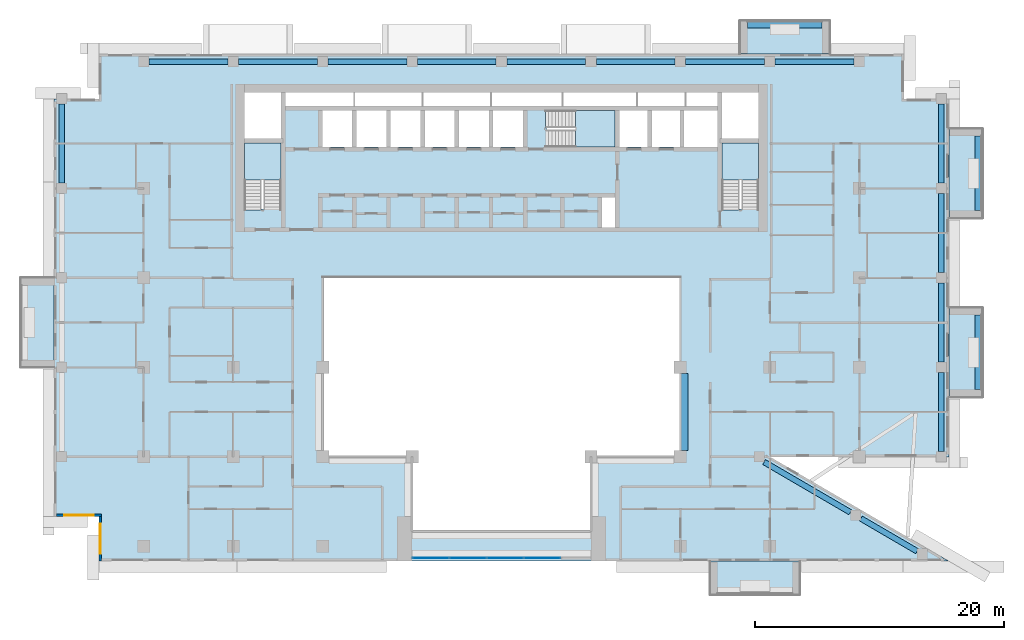
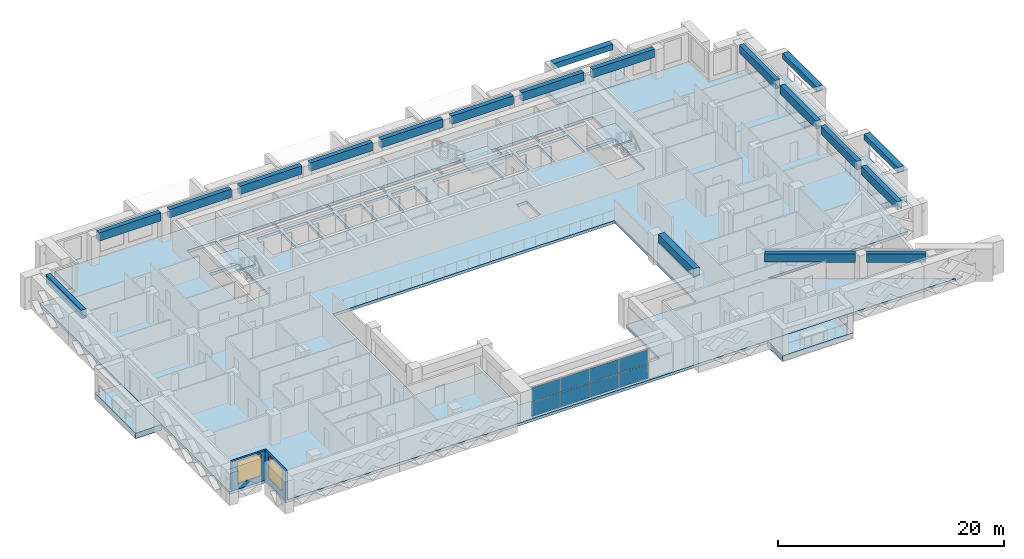
# One storey, part 5 of 20: 19 beams, 9 slabs, 8 plates, 2 walls, 2 windows, 2 openings, 4 elements without a shape of their own.
"""IFC4 building model written with IfcOpenShell, lengths in metres."""

from ifc_helpers import new_model, si_unit, direction, frame, frame_2d, origin, origin_2d, place, context, subcontext, project, spatial, polyline, rectangle, outline, extrude, source, transform, mapped, material, layer, layer_set, material_profile, profile_set, type_object, element, fill, aggregate, save


model = new_model("IFC4")

# Units and contexts
model_context = context("Model", 3, precision=1e-05, world=origin(), true_north=direction((0.0, 1.0)))
body_context = subcontext(model_context, "Body", "Model", "MODEL_VIEW")
ifc_project = project(units=[si_unit("LENGTHUNIT", "METRE"), si_unit("AREAUNIT", "SQUARE_METRE"), si_unit("VOLUMEUNIT", "CUBIC_METRE"), si_unit("PLANEANGLEUNIT", "RADIAN"), si_unit("MASSUNIT", "GRAM", prefix="KILO")], contexts=[model_context])

# Site, building, storey
site_placement = place(None, origin())
site = spatial("IfcSite", under=ifc_project, at=site_placement, CompositionType="ELEMENT")
building_placement = place(site_placement, origin())
building = spatial("IfcBuilding", under=site, at=building_placement, Name="Saffron Iwan Residences", CompositionType="ELEMENT")
storey_placement = place(building_placement, frame((0.0, 0.0, 143.0)))
storey = spatial("IfcBuildingStorey", under=building, at=storey_placement, Name="L37", CompositionType="ELEMENT", Elevation=143.0)

# Beams
ifc_material_1 = material(Name="Concrete C50/60", Category="concrete")
ifc_material_profile_1 = material_profile(ifc_material_1, rectangle(XDim=0.449951171875, YDim=0.89990234375, at=origin_2d()), Name="RC 450x900")
ifc_profile_set_1 = profile_set([ifc_material_profile_1], Name="Concrete C50/60")
beam_type_1 = type_object("IfcBeamType", Name="SPANDREL BEAM RC 450x900 C50/60 TOP 3200", PredefinedType="SPANDREL", material=ifc_profile_set_1)
shared_shape_1 = source(origin(), body_context, "Body", "SweptSolid", [
    extrude(rectangle(XDim=0.449951171875, YDim=0.89990234375, at=origin_2d()), origin(), (0.0, 0.0, 1.0), 5.24267578125),
])
beam_1_placement = place(storey_placement, frame((79.32275390625, 43.03369140625, 2.75), z_axis=(0.863783967805, -0.503862339299, 0.0), x_axis=(0.503862339299, 0.863783967805, 0.0)))
element("IfcBeam", 1, at=beam_1_placement, inside=storey, type_object=beam_type_1, Name="Spandrel beam", PredefinedType="SPANDREL", context=body_context, shape_type="MappedRepresentation", body=[
    mapped(shared_shape_1, transform((0.0, 0.0, 0.0))),
])
shared_shape_2 = source(origin(), body_context, "Body", "SweptSolid", [
    extrude(rectangle(XDim=0.449951171875, YDim=0.89990234375, at=origin_2d()), origin(), (0.0, 0.0, 1.0), 8.028564453125),
])
beam_2_placement = place(storey_placement, frame((71.537841796875, 47.574951171875, 2.75), z_axis=(0.863773386225, -0.503880479132, 0.0), x_axis=(0.503880479132, 0.863773386225, 0.0)))
element("IfcBeam", 2, at=beam_2_placement, inside=storey, type_object=beam_type_1, Name="Spandrel beam", PredefinedType="SPANDREL", context=body_context, shape_type="MappedRepresentation", body=[
    mapped(shared_shape_2, transform((0.0, 0.0, 0.0))),
])
shared_shape_3 = source(origin(), body_context, "Body", "SweptSolid", [
    extrude(rectangle(XDim=0.449951171875, YDim=0.89990234375, at=origin_2d()), origin(), (0.0, 0.0, 1.0), 6.349853515625),
])
for number, where, z_axis, x_axis, name in (
    (3, (85.800048828125, 54.77490234375, 2.75), (0.0, -1.0, 0.0), (1.0, 0.0, 0.0), "Spandrel beam"),
    (4, (29.22509765625, 79.800048828125, 2.75), (1.0, 0.0, 0.0), (0.0, 1.0, 0.0), "Spandrel beam"),
    (5, (36.425048828125, 79.800048828125, 2.75), (1.0, 0.0, 0.0), (0.0, 1.0, 0.0), "Spandrel beam"),
    (6, (65.22509765625, 79.800048828125, 2.75), (1.0, 0.0, 0.0), (0.0, 1.0, 0.0), "Spandrel beam"),
    (7, (72.425048828125, 79.800048828125, 2.75), (1.0, 0.0, 0.0), (0.0, 1.0, 0.0), "Spandrel beam"),
):
    element("IfcBeam", number, at=place(storey_placement, frame(where, z_axis=z_axis, x_axis=x_axis)), inside=storey, type_object=beam_type_1, Name=name, PredefinedType="SPANDREL", context=body_context, shape_type="MappedRepresentation", body=[
        mapped(shared_shape_3, transform((0.0, 0.0, 0.0))),
    ])
shared_shape_4 = source(origin(), body_context, "Body", "SweptSolid", [
    extrude(rectangle(XDim=0.449951171875, YDim=0.89990234375, at=origin_2d()), origin(), (0.0, 0.0, 1.0), 6.35009765625),
])
for number, where, z_axis, x_axis, name in (
    (8, (85.800048828125, 61.97509765625, 2.75), (0.0, -1.0, 0.0), (1.0, 0.0, 0.0), "Spandrel beam"),
    (9, (85.800048828125, 69.175048828125, 2.75), (0.0, -1.0, 0.0), (1.0, 0.0, 0.0), "Spandrel beam"),
    (10, (15.0, 70.02490234375, 2.75), (0.0, 1.0, 0.0), (-1.0, 0.0, 0.0), "Spandrel beam"),
    (11, (85.800048828125, 76.375, 2.75), (0.0, -1.0, 0.0), (1.0, 0.0, 0.0), "Spandrel beam"),
    (12, (22.02490234375, 79.800048828125, 2.75), (1.0, 0.0, 0.0), (0.0, 1.0, 0.0), "Spandrel beam"),
    (13, (43.625, 79.800048828125, 2.75), (1.0, 0.0, 0.0), (0.0, 1.0, 0.0), "Spandrel beam"),
    (14, (50.824951171875, 79.800048828125, 2.75), (1.0, 0.0, 0.0), (0.0, 1.0, 0.0), "Spandrel beam"),
    (15, (58.02490234375, 79.800048828125, 2.75), (1.0, 0.0, 0.0), (0.0, 1.0, 0.0), "Spandrel beam"),
):
    element("IfcBeam", number, at=place(storey_placement, frame(where, z_axis=z_axis, x_axis=x_axis)), inside=storey, type_object=beam_type_1, Name=name, PredefinedType="SPANDREL", context=body_context, shape_type="MappedRepresentation", body=[
        mapped(shared_shape_4, transform((0.0, 0.0, 0.0))),
    ])
ifc_material_profile_2 = material_profile(ifc_material_1, rectangle(XDim=0.60009765625, YDim=0.89990234375, at=origin_2d()), Name="RC 600x900")
ifc_profile_set_2 = profile_set([ifc_material_profile_2], Name="Concrete C50/60")
beam_type_2 = type_object("IfcBeamType", Name="BEAM RC 600x900 C50/60 TOP 3200", PredefinedType="BEAM", material=ifc_profile_set_2)
shared_shape_5 = source(origin(), body_context, "Body", "SweptSolid", [
    extrude(rectangle(XDim=0.60009765625, YDim=0.89990234375, at=origin_2d()), origin(), (0.0, 0.0, 1.0), 6.199951171875),
])
beam_3_placement = place(storey_placement, frame((65.10009765625, 54.699951171875, 2.75), z_axis=(0.0, -1.0, 0.0), x_axis=(1.0, 0.0, 0.0)))
element("IfcBeam", 16, at=beam_3_placement, inside=storey, type_object=beam_type_2, Name="Atrium edge beam", PredefinedType="BEAM", context=body_context, shape_type="MappedRepresentation", body=[
    mapped(shared_shape_5, transform((0.0, 0.0, 0.0))),
])
ifc_material_2 = material(Name="Concrete C50/60 white painted", Category="concrete")
ifc_material_profile_3 = material_profile(ifc_material_2, rectangle(XDim=0.60009765625, YDim=0.60009765625, at=origin_2d()), Name="BALCONY FASCIA BEAM 600 x 600")
ifc_profile_set_3 = profile_set([ifc_material_profile_3], Name="Concrete C50/60 white painted")
beam_type_3 = type_object("IfcBeamType", Name="BALCONY FASCIA BEAM 600 x 600", PredefinedType="BEAM", material=ifc_profile_set_3)
shared_shape_6 = source(origin(), body_context, "Body", "SweptSolid", [
    extrude(rectangle(XDim=0.60009765625, YDim=0.60009765625, at=origin_2d()), origin(), (0.0, 0.0, 1.0), 6.0),
])
for number, where, z_axis, x_axis, name in (
    (17, (88.800048828125, 53.39990234375, 2.550048828125), (0.0, 1.0, 0.0), (-1.0, 0.0, 0.0), "Balcony fascia beam L37 F2-0"),
    (18, (88.800048828125, 67.800048828125, 2.550048828125), (0.0, 1.0, 0.0), (-1.0, 0.0, 0.0), "Balcony fascia beam L37 F2-1"),
    (19, (76.199951171875, 82.800048828125, 2.550048828125), (-1.0, 0.0, 0.0), (0.0, -1.0, 0.0), "Balcony fascia beam L37 F5-0"),
):
    element("IfcBeam", number, at=place(storey_placement, frame(where, z_axis=z_axis, x_axis=x_axis)), inside=storey, type_object=beam_type_3, Name=name, PredefinedType="BEAM", context=body_context, shape_type="MappedRepresentation", body=[
        mapped(shared_shape_6, transform((0.0, 0.0, 0.0))),
    ])

# Slabs
ifc_layer_1 = layer(ifc_material_2, 0.60009765625)
ifc_layer_set_1 = layer_set([ifc_layer_1], Name="Concrete C50/60 white painted")
slab_type_1 = type_object("IfcSlabType", Name="BALCONY FRAME SLAB 600", PredefinedType="FLOOR", material=ifc_layer_set_1)
slab_1_placement = place(storey_placement, frame((0.0, 0.0, -0.60009765625)))
element("IfcSlab", 20, at=slab_1_placement, inside=storey, type_object=slab_type_1, Name="Balcony frame slab L37 F2-0", PredefinedType="FLOOR", context=body_context, shape_type="SweptSolid", body=[
    extrude(outline(polyline([(89.10009765625, 52.800048828125), (89.10009765625, 60.0), (86.39990234375, 60.0), (86.39990234375, 52.800048828125), (89.10009765625, 52.800048828125)])), origin(), (0.0, 0.0, 1.0), 0.60009765625),
])
slab_2_placement = place(storey_placement, frame((0.0, 0.0, -0.60009765625)))
element("IfcSlab", 21, at=slab_2_placement, inside=storey, type_object=slab_type_1, Name="Balcony frame slab L37 F2-1", PredefinedType="FLOOR", context=body_context, shape_type="SweptSolid", body=[
    extrude(outline(polyline([(89.10009765625, 67.199951171875), (89.10009765625, 74.39990234375), (86.39990234375, 74.39990234375), (86.39990234375, 67.199951171875), (89.10009765625, 67.199951171875)])), origin(), (0.0, 0.0, 1.0), 0.60009765625),
])
slab_3_placement = place(storey_placement, frame((0.0, 0.0, -0.60009765625)))
element("IfcSlab", 22, at=slab_3_placement, inside=storey, type_object=slab_type_1, Name="Balcony frame slab L37 F5-0", PredefinedType="FLOOR", context=body_context, shape_type="SweptSolid", body=[
    extrude(outline(polyline([(76.800048828125, 83.10009765625), (69.60009765625, 83.10009765625), (69.60009765625, 80.39990234375), (76.800048828125, 80.39990234375), (76.800048828125, 83.10009765625)])), origin(), (0.0, 0.0, 1.0), 0.60009765625),
])
slab_4_placement = place(storey_placement, frame((0.0, 0.0, -0.60009765625)))
element("IfcSlab", 23, at=slab_4_placement, inside=storey, type_object=slab_type_1, Name="Balcony frame slab L37 F8-0", PredefinedType="FLOOR", context=body_context, shape_type="SweptSolid", body=[
    extrude(outline(polyline([(11.699951171875, 62.39990234375), (11.699951171875, 55.199951171875), (14.39990234375, 55.199951171875), (14.39990234375, 62.39990234375), (11.699951171875, 62.39990234375)])), origin(), (0.0, 0.0, 1.0), 0.60009765625),
])
slab_5_placement = place(storey_placement, frame((0.0, 0.0, -0.60009765625)))
element("IfcSlab", 24, at=slab_5_placement, inside=storey, type_object=slab_type_1, Name="Balcony frame slab L37 11-1", PredefinedType="FLOOR", context=body_context, shape_type="SweptSolid", body=[
    extrude(outline(polyline([(67.199951171875, 36.89990234375), (74.39990234375, 36.89990234375), (74.39990234375, 39.60009765625), (67.199951171875, 39.60009765625), (67.199951171875, 36.89990234375)])), origin(), (0.0, 0.0, 1.0), 0.60009765625),
])
ifc_material_3 = material(Name="Concrete C40/50", Category="concrete")
ifc_layer_2 = layer(ifc_material_3, 0.300048828125)
ifc_layer_set_2 = layer_set([ifc_layer_2], Name="Concrete C40/50")
slab_type_2 = type_object("IfcSlabType", Name="PT PLATE 300 C40/50", PredefinedType="FLOOR", material=ifc_layer_set_2)
slab_6_placement = place(storey_placement, frame((0.0, 0.0, -0.300048828125)))
element("IfcSlab", 25, at=slab_6_placement, inside=storey, type_object=slab_type_2, Name="Floor slab L37", PredefinedType="FLOOR", context=body_context, shape_type="SweptSolid", body=[
    extrude(outline(polyline([(14.39990234375, 43.199951171875), (14.39990234375, 76.800048828125), (18.0, 76.800048828125), (18.0, 80.39990234375), (82.800048828125, 80.39990234375), (82.800048828125, 76.800048828125), (86.39990234375, 76.800048828125), (86.39990234375, 48.0), (72.0, 48.0), (86.39990234375, 39.60009765625), (18.0, 39.60009765625), (18.0, 43.199951171875), (14.39990234375, 43.199951171875)]), holes=[polyline([(64.800048828125, 48.0), (64.800048828125, 62.39990234375), (36.0, 62.39990234375), (36.0, 48.0), (43.199951171875, 48.0), (43.199951171875, 42.0), (57.60009765625, 42.0), (57.60009765625, 48.0), (64.800048828125, 48.0)]), polyline([(29.699951171875, 73.25), (29.699951171875, 67.949951171875), (29.699951171875, 67.8505859375), (31.10009765625, 67.8505859375), (31.10009765625, 67.949951171875), (32.64990234375, 67.949951171875), (32.64990234375, 73.25), (29.699951171875, 73.25)]), polyline([(38.375, 75.875), (35.97509765625, 75.875), (35.97509765625, 72.925048828125), (38.375, 72.925048828125), (38.375, 75.875)]), polyline([(41.125, 75.875), (38.72509765625, 75.875), (38.72509765625, 72.925048828125), (41.125, 72.925048828125), (41.125, 75.875)]), polyline([(43.875, 72.925048828125), (43.875, 75.875), (41.47509765625, 75.875), (41.47509765625, 72.925048828125), (43.875, 72.925048828125)]), polyline([(46.625, 72.925048828125), (46.625, 75.875), (44.22509765625, 75.875), (44.22509765625, 72.925048828125), (46.625, 72.925048828125)]), polyline([(49.375, 75.875), (46.97509765625, 75.875), (46.97509765625, 72.925048828125), (49.375, 72.925048828125), (49.375, 75.875)]), polyline([(52.125, 72.925048828125), (52.125, 75.875), (49.72509765625, 75.875), (49.72509765625, 72.925048828125), (52.125, 72.925048828125)]), polyline([(32.64990234375, 73.60009765625), (32.64990234375, 77.300048828125), (29.699951171875, 77.300048828125), (29.699951171875, 73.60009765625), (32.64990234375, 73.60009765625)]), polyline([(38.5, 77.300048828125), (33.0, 77.300048828125), (33.0, 76.22509765625), (38.5, 76.22509765625), (38.5, 77.300048828125)]), polyline([(44.0, 76.22509765625), (44.0, 77.300048828125), (38.60009765625, 77.300048828125), (38.60009765625, 76.22509765625), (44.0, 76.22509765625)]), polyline([(49.5, 76.22509765625), (49.5, 77.300048828125), (44.10009765625, 77.300048828125), (44.10009765625, 76.22509765625), (49.5, 76.22509765625)]), polyline([(59.550048828125, 68.875), (58.47509765625, 68.875), (58.47509765625, 66.449951171875), (59.550048828125, 66.449951171875), (59.550048828125, 68.875)]), polyline([(68.14990234375, 73.25), (68.14990234375, 67.949951171875), (68.14990234375, 67.8505859375), (69.550048828125, 67.8505859375), (69.550048828125, 67.949951171875), (71.10009765625, 67.949951171875), (71.10009765625, 73.25), (68.14990234375, 73.25)]), polyline([(54.02490234375, 74.47509765625), (54.02490234375, 72.925048828125), (59.550048828125, 72.925048828125), (59.550048828125, 75.875), (54.02490234375, 75.875), (53.925537109375, 75.875), (53.925537109375, 74.47509765625), (54.02490234375, 74.47509765625)]), polyline([(62.14990234375, 72.925048828125), (62.14990234375, 75.875), (59.89990234375, 75.875), (59.89990234375, 72.925048828125), (62.14990234375, 72.925048828125)]), polyline([(64.75, 72.925048828125), (64.75, 75.875), (62.5, 75.875), (62.5, 72.925048828125), (64.75, 72.925048828125)]), polyline([(67.800048828125, 75.875), (65.10009765625, 75.875), (65.10009765625, 72.925048828125), (67.800048828125, 72.925048828125), (67.800048828125, 75.875)]), polyline([(71.10009765625, 73.60009765625), (71.10009765625, 77.300048828125), (68.14990234375, 77.300048828125), (68.14990234375, 73.60009765625), (71.10009765625, 73.60009765625)]), polyline([(55.25, 76.22509765625), (55.25, 77.300048828125), (49.60009765625, 77.300048828125), (49.60009765625, 76.22509765625), (55.25, 76.22509765625)]), polyline([(61.25, 77.300048828125), (55.35009765625, 77.300048828125), (55.35009765625, 76.22509765625), (61.25, 76.22509765625), (61.25, 77.300048828125)]), polyline([(65.14990234375, 76.22509765625), (65.14990234375, 77.300048828125), (61.35009765625, 77.300048828125), (61.35009765625, 76.22509765625), (65.14990234375, 76.22509765625)]), polyline([(67.800048828125, 76.22509765625), (67.800048828125, 77.300048828125), (65.25, 77.300048828125), (65.25, 76.22509765625), (67.800048828125, 76.22509765625)])]), origin(), (0.0, 0.0, 1.0), 0.300048828125),
])

# Stair, slab
stair_type = type_object("IfcStairType", Name="Stair ST-CORE", PredefinedType="HALF_TURN_STAIR", material=ifc_material_1)
stair_1_placement = place(storey_placement, origin())
stair_1 = element("IfcStair", 26, at=stair_1_placement, inside=storey, type_object=stair_type, Name="L37 Exit Stair ST-W", PredefinedType="HALF_TURN_STAIR")
ifc_layer_3 = layer(ifc_material_1, 0.199951171875)
ifc_layer_set_3 = layer_set([ifc_layer_3], Name="Concrete C50/60")
slab_type_3 = type_object("IfcSlabType", Name="Stair landing SL-RC", PredefinedType="LANDING", material=ifc_layer_set_3)
slab_7_placement = place(storey_placement, frame((0.0, 0.0, 1.5498046875)))
slab_7 = element("IfcSlab", 27, at=slab_7_placement, type_object=slab_type_3, Name="ST-W landing 1", PredefinedType="LANDING", context=body_context, shape_type="SweptSolid", body=[
    extrude(outline(polyline([(32.64990234375, 70.280029296875), (32.64990234375, 73.25), (29.699951171875, 73.25), (29.699951171875, 70.280029296875), (32.64990234375, 70.280029296875)])), origin(), (0.0, 0.0, 1.0), 0.2001953125),
])
aggregate(stair_1, [slab_7])

stair_2_placement = place(storey_placement, origin())
stair_2 = element("IfcStair", 28, at=stair_2_placement, inside=storey, type_object=stair_type, Name="L37 Exit Stair ST-C", PredefinedType="HALF_TURN_STAIR")
slab_8_placement = place(storey_placement, frame((0.0, 0.0, 1.5498046875)))
slab_8 = element("IfcSlab", 29, at=slab_8_placement, type_object=slab_type_3, Name="ST-C landing 1", PredefinedType="LANDING", context=body_context, shape_type="SweptSolid", body=[
    extrude(outline(polyline([(56.35498046875, 72.925048828125), (59.550048828125, 72.925048828125), (59.550048828125, 75.875), (56.35498046875, 75.875), (56.35498046875, 72.925048828125)])), origin(), (0.0, 0.0, 1.0), 0.2001953125),
])
aggregate(stair_2, [slab_8])

stair_3_placement = place(storey_placement, origin())
stair_3 = element("IfcStair", 30, at=stair_3_placement, inside=storey, type_object=stair_type, Name="L37 Exit Stair ST-E", PredefinedType="HALF_TURN_STAIR")
slab_9_placement = place(storey_placement, frame((0.0, 0.0, 1.5498046875)))
slab_9 = element("IfcSlab", 31, at=slab_9_placement, type_object=slab_type_3, Name="ST-E landing 1", PredefinedType="LANDING", context=body_context, shape_type="SweptSolid", body=[
    extrude(outline(polyline([(71.10009765625, 70.280029296875), (71.10009765625, 73.25), (68.14990234375, 73.25), (68.14990234375, 70.280029296875), (71.10009765625, 70.280029296875)])), origin(), (0.0, 0.0, 1.0), 0.2001953125),
])
aggregate(stair_3, [slab_9])

# Curtain wall, plates
ifc_material_4 = material(Name="Clear glass, laminated double glazed", Category="glass")
ifc_layer_4 = layer(ifc_material_4, 0.199951171875)
ifc_layer_set_4 = layer_set([ifc_layer_4], Name="Clear glass, laminated double glazed")
curtain_wall_type = type_object("IfcCurtainWallType", Name="CW-B IWAN PORTAL", PredefinedType="NOTDEFINED", material=ifc_layer_set_4)
curtain_wall_placement = place(storey_placement, origin())
curtain_wall = element("IfcCurtainWall", 32, at=curtain_wall_placement, inside=storey, type_object=curtain_wall_type, Name="Iwan portal glazing L37.1", PredefinedType="NOTDEFINED")
ifc_layer_5 = layer(ifc_material_4, 0.028076171875)
ifc_layer_set_5 = layer_set([ifc_layer_5], Name="Clear glass, laminated double glazed")
plate_type = type_object("IfcPlateType", Name="CW-B PANEL 28", PredefinedType="CURTAIN_PANEL", material=ifc_layer_set_5)
shared_shape_7 = source(origin(), body_context, "Body", "SweptSolid", [
    extrude(rectangle(XDim=2.909912109375, YDim=0.028076171875, at=origin_2d()), origin(), (0.0, 0.0, 1.0), 1.510009765625),
])
plate_1_placement = place(storey_placement, frame((44.715087890625, 39.85009765625, 0.06005859375), z_axis=(0.0, 0.0, 1.0), x_axis=(1.0, 0.0, 0.0)))
plate_1 = element("IfcPlate", 33, at=plate_1_placement, type_object=plate_type, Name="CW-B panel 1.1", PredefinedType="CURTAIN_PANEL", context=body_context, shape_type="MappedRepresentation", body=[
    mapped(shared_shape_7, transform((0.0, 0.0, 0.0))),
])
plate_2_placement = place(storey_placement, frame((44.715087890625, 39.85009765625, 1.6298828125), z_axis=(0.0, 0.0, 1.0), x_axis=(1.0, 0.0, 0.0)))
plate_2 = element("IfcPlate", 34, at=plate_2_placement, type_object=plate_type, Name="CW-B panel 1.2", PredefinedType="CURTAIN_PANEL", context=body_context, shape_type="MappedRepresentation", body=[
    mapped(shared_shape_7, transform((0.0, 0.0, 0.0))),
])
plate_3_placement = place(storey_placement, frame((53.68505859375, 39.85009765625, 0.06005859375), z_axis=(0.0, 0.0, 1.0), x_axis=(1.0, 0.0, 0.0)))
plate_3 = element("IfcPlate", 35, at=plate_3_placement, type_object=plate_type, Name="CW-B panel 4.1", PredefinedType="CURTAIN_PANEL", context=body_context, shape_type="MappedRepresentation", body=[
    mapped(shared_shape_7, transform((0.0, 0.0, 0.0))),
])
plate_4_placement = place(storey_placement, frame((53.68505859375, 39.85009765625, 1.6298828125), z_axis=(0.0, 0.0, 1.0), x_axis=(1.0, 0.0, 0.0)))
plate_4 = element("IfcPlate", 36, at=plate_4_placement, type_object=plate_type, Name="CW-B panel 4.2", PredefinedType="CURTAIN_PANEL", context=body_context, shape_type="MappedRepresentation", body=[
    mapped(shared_shape_7, transform((0.0, 0.0, 0.0))),
])
shared_shape_8 = source(origin(), body_context, "Body", "SweptSolid", [
    extrude(rectangle(XDim=2.93994140625, YDim=0.028076171875, at=origin_2d()), origin(), (0.0, 0.0, 1.0), 1.510009765625),
])
plate_5_placement = place(storey_placement, frame((47.699951171875, 39.85009765625, 0.06005859375), z_axis=(0.0, 0.0, 1.0), x_axis=(1.0, 0.0, 0.0)))
plate_5 = element("IfcPlate", 37, at=plate_5_placement, type_object=plate_type, Name="CW-B panel 2.1", PredefinedType="CURTAIN_PANEL", context=body_context, shape_type="MappedRepresentation", body=[
    mapped(shared_shape_8, transform((0.0, 0.0, 0.0))),
])
plate_6_placement = place(storey_placement, frame((47.699951171875, 39.85009765625, 1.6298828125), z_axis=(0.0, 0.0, 1.0), x_axis=(1.0, 0.0, 0.0)))
plate_6 = element("IfcPlate", 38, at=plate_6_placement, type_object=plate_type, Name="CW-B panel 2.2", PredefinedType="CURTAIN_PANEL", context=body_context, shape_type="MappedRepresentation", body=[
    mapped(shared_shape_8, transform((0.0, 0.0, 0.0))),
])
plate_7_placement = place(storey_placement, frame((50.699951171875, 39.85009765625, 0.06005859375), z_axis=(0.0, 0.0, 1.0), x_axis=(1.0, 0.0, 0.0)))
plate_7 = element("IfcPlate", 39, at=plate_7_placement, type_object=plate_type, Name="CW-B panel 3.1", PredefinedType="CURTAIN_PANEL", context=body_context, shape_type="MappedRepresentation", body=[
    mapped(shared_shape_8, transform((0.0, 0.0, 0.0))),
])
plate_8_placement = place(storey_placement, frame((50.699951171875, 39.85009765625, 1.6298828125), z_axis=(0.0, 0.0, 1.0), x_axis=(1.0, 0.0, 0.0)))
plate_8 = element("IfcPlate", 40, at=plate_8_placement, type_object=plate_type, Name="CW-B panel 3.2", PredefinedType="CURTAIN_PANEL", context=body_context, shape_type="MappedRepresentation", body=[
    mapped(shared_shape_8, transform((0.0, 0.0, 0.0))),
])
aggregate(curtain_wall, [plate_1, plate_2, plate_5, plate_6, plate_7, plate_8, plate_3, plate_4])

# Wall, opening, window
ifc_layer_6 = layer(ifc_material_3, 0.199951171875)
ifc_layer_set_6 = layer_set([ifc_layer_6], Name="Concrete C40/50")
wall_type = type_object("IfcWallType", Name="EXTERNAL WALL 200", PredefinedType="SOLIDWALL", material=ifc_layer_set_6)
wall_1_placement = place(storey_placement, frame((14.60009765625, 43.300048828125, 0.0), z_axis=(0.0, 0.0, 1.0), x_axis=(1.0, 0.0, 0.0)))
wall_1 = element("IfcWall", 41, at=wall_1_placement, inside=storey, type_object=wall_type, Name="External wall L37 F9.0", PredefinedType="SOLIDWALL", context=body_context, shape_type="SweptSolid", body=[
    extrude(rectangle(XDim=3.599853515625, YDim=0.199951171875, at=frame_2d((1.7998046875, 0.0))), origin(), (0.0, 0.0, 1.0), 3.199951171875),
])
opening_1_placement = place(wall_1_placement, frame((0.60009765625, 0.0, 0.60009765625)))
opening_1 = element("IfcOpeningElement", 42, at=opening_1_placement, cuts=wall_1, Name="Opening W1", PredefinedType="OPENING", context=body_context, shape_type="SweptSolid", body=[
    extrude(rectangle(XDim=2.39990234375, YDim=2.39990234375, at=frame_2d((1.199951171875, 1.199951171875))), frame((0.0, 0.10986328125, 0.0), z_axis=(0.0, -1.0, 0.0), x_axis=(1.0, 0.0, 0.0)), (0.0, 0.0, 1.0), 0.219970703125),
])
window_type = type_object("IfcWindowType", Name="WINDOW 2400 x 2400", PartitioningType="DOUBLE_PANEL_VERTICAL", PredefinedType="WINDOW", material=ifc_material_4)
window_1_placement = place(opening_1_placement, origin())
window_1 = element("IfcWindow", 43, at=window_1_placement, inside=storey, type_object=window_type, Name="Window L37 F9.0", OverallHeight=2.39990234375, OverallWidth=2.39990234375, PartitioningType="DOUBLE_PANEL_VERTICAL", PredefinedType="WINDOW", context=body_context, shape_type="SweptSolid", body=[
    extrude(rectangle(XDim=2.39990234375, YDim=2.39990234375, at=frame_2d((1.199951171875, 1.199951171875))), frame((0.0, 0.030029296875, 0.0), z_axis=(0.0, -1.0, 0.0), x_axis=(1.0, 0.0, 0.0)), (0.0, 0.0, 1.0), 0.06005859375),
])
fill(opening_1, window_1)

wall_2_placement = place(storey_placement, frame((18.10009765625, 43.199951171875, 0.0), z_axis=(0.0, 0.0, 1.0), x_axis=(0.0, -1.0, 0.0)))
wall_2 = element("IfcWall", 44, at=wall_2_placement, inside=storey, type_object=wall_type, Name="External wall L37 F10.0", PredefinedType="SOLIDWALL", context=body_context, shape_type="SweptSolid", body=[
    extrude(rectangle(XDim=3.599853515625, YDim=0.199951171875, at=frame_2d((1.7998046875, 0.0))), origin(), (0.0, 0.0, 1.0), 3.199951171875),
])
opening_2_placement = place(wall_2_placement, frame((0.60009765625, 0.0, 0.60009765625)))
opening_2 = element("IfcOpeningElement", 45, at=opening_2_placement, cuts=wall_2, Name="Opening W1", PredefinedType="OPENING", context=body_context, shape_type="SweptSolid", body=[
    extrude(rectangle(XDim=2.39990234375, YDim=2.39990234375, at=frame_2d((1.199951171875, 1.199951171875))), frame((0.0, 0.10986328125, 0.0), z_axis=(0.0, -1.0, 0.0), x_axis=(1.0, 0.0, 0.0)), (0.0, 0.0, 1.0), 0.219970703125),
])
window_2_placement = place(opening_2_placement, origin())
window_2 = element("IfcWindow", 46, at=window_2_placement, inside=storey, type_object=window_type, Name="Window L37 F10.0", OverallHeight=2.39990234375, OverallWidth=2.39990234375, PartitioningType="DOUBLE_PANEL_VERTICAL", PredefinedType="WINDOW", context=body_context, shape_type="SweptSolid", body=[
    extrude(rectangle(XDim=2.39990234375, YDim=2.39990234375, at=frame_2d((1.199951171875, 1.199951171875))), frame((0.0, 0.030029296875, 0.0), z_axis=(0.0, -1.0, 0.0), x_axis=(1.0, 0.0, 0.0)), (0.0, 0.0, 1.0), 0.06005859375),
])
fill(opening_2, window_2)

save(model, "model.ifc")
